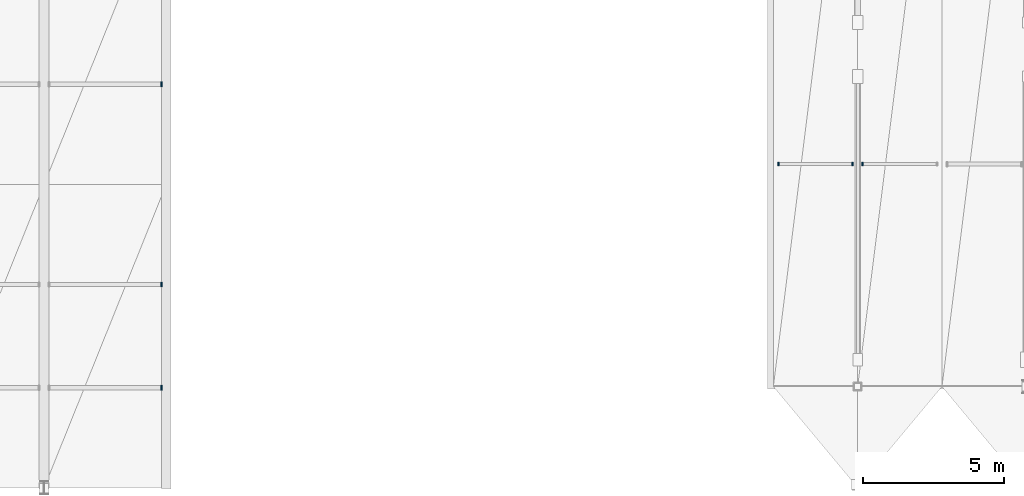
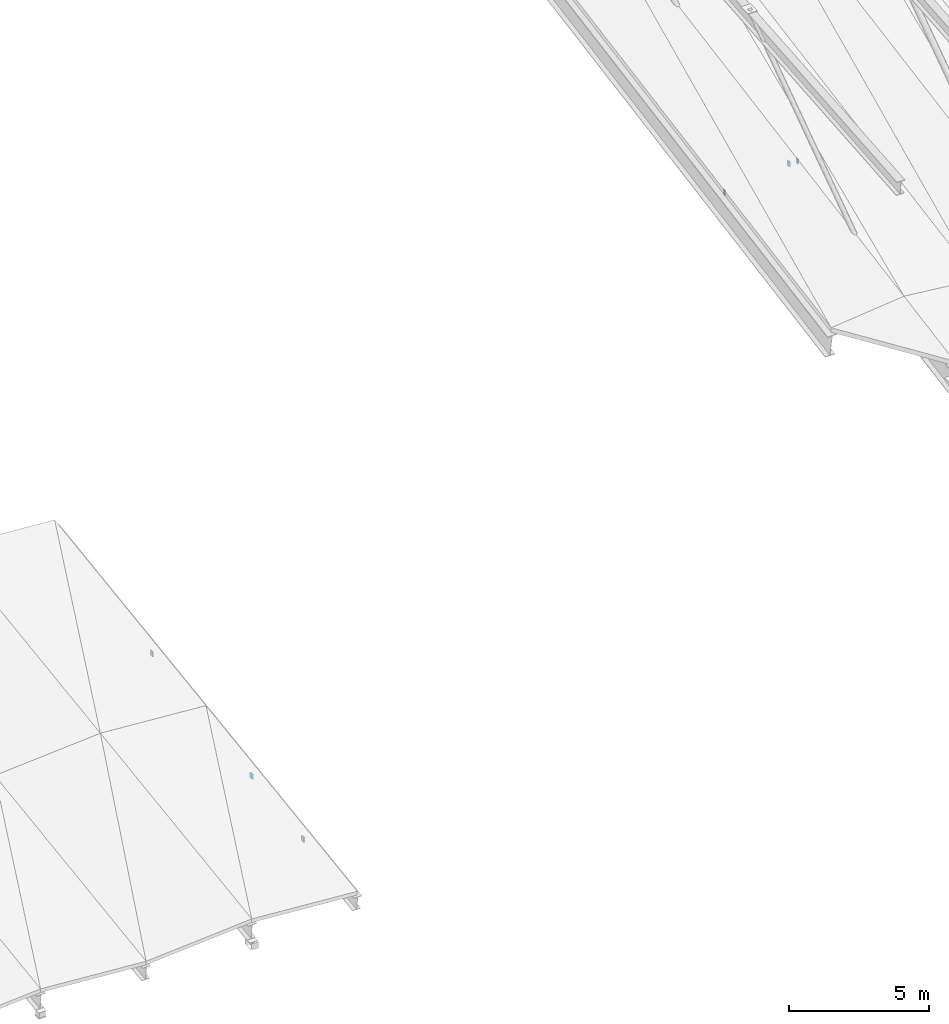
# One storey, part 30 of 52: 6 discrete accessories.
"""IFC4 building model written with IfcOpenShell, lengths in metres."""

from ifc_helpers import new_model, si_unit, direction, frame, origin, origin_2d, place, context, subcontext, project, spatial, rectangle, extrude, material, layer, layer_set, type_object, element, save


model = new_model("IFC4")

# Units and contexts
model_context = context("Model", 3, precision=1e-05, world=origin(), true_north=direction((0.0, 1.0)))
body_context = subcontext(model_context, "Body", "Model", "MODEL_VIEW")
ifc_project = project(units=[si_unit("LENGTHUNIT", "METRE"), si_unit("AREAUNIT", "SQUARE_METRE"), si_unit("VOLUMEUNIT", "CUBIC_METRE"), si_unit("PLANEANGLEUNIT", "RADIAN"), si_unit("MASSUNIT", "GRAM", prefix="KILO")], contexts=[model_context])

# Site, building, storey
site_placement = place(None, origin())
site = spatial("IfcSite", under=ifc_project, at=site_placement, CompositionType="ELEMENT")
building_placement = place(site_placement, origin())
building = spatial("IfcBuilding", under=site, at=building_placement, Name="Vaelkrest Opera House", CompositionType="ELEMENT")
storey_placement = place(building_placement, frame((0.0, 0.0, 41.39990234375)))
storey = spatial("IfcBuildingStorey", under=building, at=storey_placement, Name="ROOF", CompositionType="ELEMENT", Elevation=41.39990234375)

# Discrete accessories
ifc_material = material(Name="Steel A572 Gr50", Category="steel")
ifc_layer = layer(ifc_material, 0.320068359375)
ifc_layer_set = layer_set([ifc_layer], Name="Steel A572 Gr50")
discrete_accessory_type = type_object("IfcDiscreteAccessoryType", Name="ECP01", PredefinedType="USERDEFINED", material=ifc_layer_set)
for number, where, z_axis, x_axis, name in (
    (1, (-29.822509765625, -47.8798828125, -15.275390625), (0.0, 0.0, 1.0), (1.0, 0.0, 0.0), "Purlin HSS end cap plate V1-01-S1-33-W0"),
    (2, (-27.177490234375, -47.8798828125, -14.951171875), (0.0, 0.0, 1.0), (1.0, 0.0, 0.0), "Purlin HSS end cap plate V1-01-S1-33-W1"),
    (3, (-26.822509765625, -47.8798828125, -14.951171875), (0.0, 0.0, 1.0), (1.0, 0.0, 0.0), "Purlin HSS end cap plate V1-01-S1-33-E0"),
):
    element("IfcDiscreteAccessory", number, at=place(storey_placement, frame(where, z_axis=z_axis, x_axis=x_axis)), inside=storey, type_object=discrete_accessory_type, Name=name, ObjectType="CAP PLATE", PredefinedType="USERDEFINED", context=body_context, shape_type="SweptSolid", body=[
        extrude(rectangle(XDim=0.054931640625, YDim=0.1259765625, at=origin_2d()), origin(), (0.0, 0.0, 1.0), 0.218994140625),
    ])
for number, where, z_axis, x_axis, name in (
    (4, (-51.777587890625, -55.8359375, -30.92529296875), (0.0, 0.0, 1.0), (1.0, 0.0, 0.0), "Purlin HSS end cap plate V5-04-S1-33-E1"),
    (5, (-51.777587890625, -52.1640625, -30.4013671875), (0.0, 0.0, 1.0), (1.0, 0.0, 0.0), "Purlin HSS end cap plate V5-04-S1-67-E1"),
    (6, (-51.777587890625, -45.035888671875, -29.38525390625), (0.0, 0.0, 1.0), (1.0, 0.0, 0.0), "Purlin HSS end cap plate V5-04-S2-33-E1"),
):
    element("IfcDiscreteAccessory", number, at=place(storey_placement, frame(where, z_axis=z_axis, x_axis=x_axis)), inside=storey, type_object=discrete_accessory_type, Name=name, ObjectType="CAP PLATE", PredefinedType="USERDEFINED", context=body_context, shape_type="SweptSolid", body=[
        extrude(rectangle(XDim=0.054931640625, YDim=0.176025390625, at=origin_2d()), origin(), (0.0, 0.0, 1.0), 0.218994140625),
    ])

save(model, "model.ifc")
